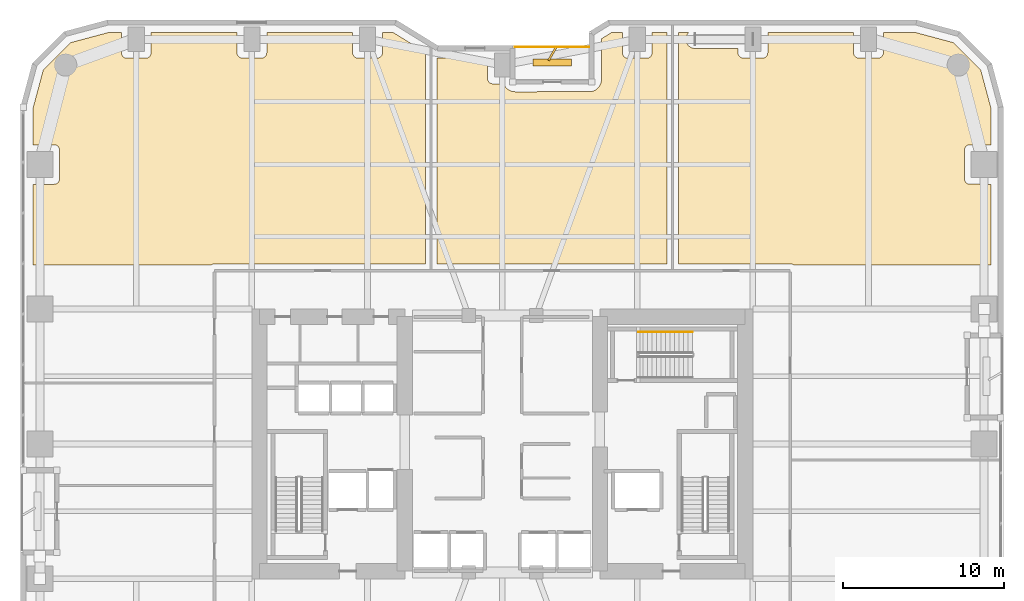
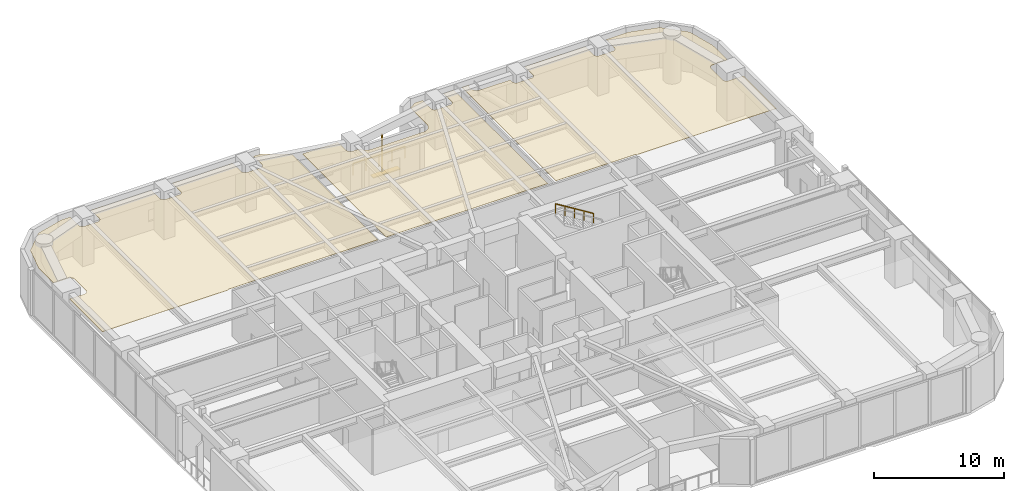
# One storey, part 25 of 25: 3 coverings, 2 railings, 2 shading devices.
"""IFC4 building model written with IfcOpenShell, lengths in metres."""

from ifc_helpers import new_model, si_unit, direction, frame, origin, origin_2d, place, context, subcontext, project, spatial, polyline, rectangle, outline, extrude, material, layer, layer_set, type_object, element, save


model = new_model("IFC4")

# Units and contexts
model_context = context("Model", 3, precision=1e-05, world=origin(), true_north=direction((0.0, 1.0)))
body_context = subcontext(model_context, "Body", "Model", "MODEL_VIEW")
ifc_project = project(units=[si_unit("LENGTHUNIT", "METRE"), si_unit("AREAUNIT", "SQUARE_METRE"), si_unit("VOLUMEUNIT", "CUBIC_METRE"), si_unit("PLANEANGLEUNIT", "RADIAN"), si_unit("MASSUNIT", "GRAM", prefix="KILO")], contexts=[model_context])

# Site, building, storey
site_placement = place(None, origin())
site = spatial("IfcSite", under=ifc_project, at=site_placement, CompositionType="ELEMENT")
building_placement = place(site_placement, origin())
building = spatial("IfcBuilding", under=site, at=building_placement, Name="Kiyonajd Concourse Tower", CompositionType="ELEMENT")
storey_placement = place(building_placement, frame((0.0, 0.0, 68.39990234375)))
storey = spatial("IfcBuildingStorey", under=building, at=storey_placement, Name="L18", CompositionType="ELEMENT", Elevation=68.39990234375)

# Coverings
ifc_material_1 = material(Name="Natural Oak Acoustic Timber Veneer", Category="wood")
ifc_layer = layer(ifc_material_1, 0.0400390625)
ifc_layer_set = layer_set([ifc_layer], Name="Natural Oak Acoustic Timber Veneer")
covering_type = type_object("IfcCoveringType", Name="CV-CLG-ACST", PredefinedType="CEILING", material=ifc_layer_set)
covering_1_placement = place(storey_placement, frame((0.0, 0.0, 4.06005859375)))
element("IfcCovering", 1, at=covering_1_placement, inside=storey, type_object=covering_type, Name="L18-41 Room Acoustic Ceiling", PredefinedType="CEILING", context=body_context, shape_type="SweptSolid", body=[
    extrude(outline(polyline([(21.097900390625, 60.986083984375), (23.5009765625, 61.6298828125), (24.27001953125, 61.6298828125), (24.27197265625, 60.3359375), (24.297119140625, 60.236083984375), (24.3291015625, 60.176025390625), (24.373046875, 60.123046875), (24.426025390625, 60.0791015625), (24.486083984375, 60.047119140625), (24.5859375, 60.02197265625), (25.81396484375, 60.02197265625), (25.9140625, 60.047119140625), (26.001953125, 60.09912109375), (26.051025390625, 60.14794921875), (26.089111328125, 60.205078125), (26.123046875, 60.302001953125), (26.1298828125, 60.3701171875), (26.1298828125, 61.6298828125), (31.469970703125, 61.6298828125), (31.471923828125, 60.3359375), (31.4970703125, 60.236083984375), (31.529052734375, 60.176025390625), (31.572998046875, 60.123046875), (31.6259765625, 60.0791015625), (31.68603515625, 60.047119140625), (31.785888671875, 60.02197265625), (32.97998046875, 60.02001953125), (33.048095703125, 60.027099609375), (33.114013671875, 60.047119140625), (33.201904296875, 60.09912109375), (33.2509765625, 60.14794921875), (33.2890625, 60.205078125), (33.322998046875, 60.302001953125), (33.330078125, 60.3701171875), (33.330078125, 61.6298828125), (38.669921875, 61.6298828125), (38.672119140625, 60.3359375), (38.697021484375, 60.236083984375), (38.72900390625, 60.176025390625), (38.77294921875, 60.123046875), (38.825927734375, 60.0791015625), (38.885986328125, 60.047119140625), (38.986083984375, 60.02197265625), (40.179931640625, 60.02001953125), (40.248046875, 60.027099609375), (40.31396484375, 60.047119140625), (40.402099609375, 60.09912109375), (40.450927734375, 60.14794921875), (40.489013671875, 60.205078125), (40.52294921875, 60.302001953125), (40.530029296875, 60.3701171875), (40.530029296875, 61.6298828125), (41.181884765625, 61.6298828125), (43.199951171875, 60.387939453125), (43.199951171875, 47.2099609375), (30.074951171875, 47.2099609375), (29.945068359375, 47.18994140625), (29.882080078125, 47.1640625), (29.826904296875, 47.1298828125), (18.77001953125, 47.1298828125), (18.77001953125, 52.169921875), (20.080078125, 52.169921875), (20.14794921875, 52.177001953125), (20.2451171875, 52.2109375), (20.302001953125, 52.2490234375), (20.35107421875, 52.298095703125), (20.388916015625, 52.35498046875), (20.4150390625, 52.41796875), (20.429931640625, 52.52001953125), (20.429931640625, 54.280029296875), (20.4150390625, 54.382080078125), (20.388916015625, 54.445068359375), (20.35107421875, 54.501953125), (20.302001953125, 54.551025390625), (20.2451171875, 54.589111328125), (20.181884765625, 54.614990234375), (20.114013671875, 54.6279296875), (18.77001953125, 54.6298828125), (18.77001953125, 56.89892578125), (19.4140625, 59.302001953125), (21.097900390625, 60.986083984375)])), origin(), (0.0, 0.0, 1.0), 0.0400390625),
])
covering_2_placement = place(storey_placement, frame((0.0, 0.0, 4.06005859375)))
element("IfcCovering", 2, at=covering_2_placement, inside=storey, type_object=covering_type, Name="L18-42 Room Acoustic Ceiling", PredefinedType="CEILING", context=body_context, shape_type="SweptSolid", body=[
    extrude(outline(polyline([(43.919921875, 60.035888671875), (44.0, 60.030029296875), (47.070068359375, 60.030029296875), (47.072021484375, 58.736083984375), (47.096923828125, 58.635986328125), (47.14892578125, 58.548095703125), (47.197998046875, 58.4990234375), (47.2548828125, 58.4609375), (47.318115234375, 58.43505859375), (47.385986328125, 58.422119140625), (48.0830078125, 58.419921875), (48.16796875, 58.260986328125), (48.215087890625, 58.198974609375), (48.299072265625, 58.114990234375), (48.361083984375, 58.068115234375), (48.471923828125, 58.00390625), (48.56005859375, 57.968994140625), (48.633056640625, 57.947998046875), (48.800048828125, 57.929931640625), (53.491943359375, 57.93603515625), (53.60693359375, 57.9580078125), (53.7041015625, 57.991943359375), (53.839111328125, 58.068115234375), (53.931884765625, 58.14306640625), (54.008056640625, 58.22802734375), (54.056884765625, 58.300048828125), (54.10791015625, 58.39599609375), (54.152099609375, 58.532958984375), (54.16796875, 58.658935546875), (54.169921875, 61.23095703125), (54.818115234375, 61.6298828125), (55.469970703125, 61.6298828125), (55.471923828125, 60.3359375), (55.4970703125, 60.236083984375), (55.529052734375, 60.176025390625), (55.572998046875, 60.123046875), (55.6259765625, 60.0791015625), (55.68603515625, 60.047119140625), (55.785888671875, 60.02197265625), (57.013916015625, 60.02197265625), (57.114013671875, 60.047119140625), (57.201904296875, 60.09912109375), (57.2509765625, 60.14794921875), (57.2890625, 60.205078125), (57.322998046875, 60.302001953125), (57.330078125, 60.3701171875), (57.330078125, 61.6298828125), (58.239990234375, 61.6298828125), (58.239990234375, 47.2099609375), (43.919921875, 47.2099609375), (43.919921875, 60.035888671875)])), origin(), (0.0, 0.0, 1.0), 0.0400390625),
])
covering_3_placement = place(storey_placement, frame((0.0, 0.0, 4.06005859375)))
element("IfcCovering", 3, at=covering_3_placement, inside=storey, type_object=covering_type, Name="L18-43 Room Acoustic Ceiling", PredefinedType="CEILING", context=body_context, shape_type="SweptSolid", body=[
    extrude(outline(polyline([(59.6259765625, 61.6298828125), (59.5390625, 61.533935546875), (59.498046875, 61.469970703125), (59.467041015625, 61.40087890625), (59.43603515625, 61.27490234375), (59.429931640625, 61.199951171875), (59.43603515625, 61.125), (59.467041015625, 60.9990234375), (59.498046875, 60.929931640625), (59.5390625, 60.865966796875), (59.637939453125, 60.759033203125), (59.759033203125, 60.68408203125), (59.87109375, 60.64501953125), (59.97802734375, 60.631103515625), (62.669921875, 60.6298828125), (62.672119140625, 60.3359375), (62.68505859375, 60.26806640625), (62.7109375, 60.205078125), (62.77294921875, 60.123046875), (62.85498046875, 60.06103515625), (62.91796875, 60.034912109375), (63.02001953125, 60.02001953125), (64.214111328125, 60.02197265625), (64.31396484375, 60.047119140625), (64.3740234375, 60.0791015625), (64.427001953125, 60.123046875), (64.489013671875, 60.205078125), (64.514892578125, 60.26806640625), (64.528076171875, 60.3359375), (64.530029296875, 61.6298828125), (69.8701171875, 61.6298828125), (69.8701171875, 60.3701171875), (69.876953125, 60.302001953125), (69.89697265625, 60.236083984375), (69.928955078125, 60.176025390625), (69.998046875, 60.09912109375), (70.0859375, 60.047119140625), (70.18603515625, 60.02197265625), (71.4140625, 60.02197265625), (71.513916015625, 60.047119140625), (71.573974609375, 60.0791015625), (71.626953125, 60.123046875), (71.68896484375, 60.205078125), (71.715087890625, 60.26806640625), (71.72802734375, 60.3359375), (71.72998046875, 61.6298828125), (73.698974609375, 61.6298828125), (76.10205078125, 60.986083984375), (77.785888671875, 59.302001953125), (78.429931640625, 56.89892578125), (78.429931640625, 54.6298828125), (77.1201171875, 54.6298828125), (77.052001953125, 54.623046875), (76.986083984375, 54.60302734375), (76.926025390625, 54.571044921875), (76.84912109375, 54.501953125), (76.81103515625, 54.445068359375), (76.784912109375, 54.382080078125), (76.77001953125, 54.280029296875), (76.77001953125, 52.52001953125), (76.784912109375, 52.41796875), (76.81103515625, 52.35498046875), (76.84912109375, 52.298095703125), (76.89794921875, 52.2490234375), (76.955078125, 52.2109375), (77.01806640625, 52.18505859375), (77.0859375, 52.172119140625), (78.429931640625, 52.169921875), (78.429931640625, 47.1298828125), (66.173095703125, 47.1298828125), (66.117919921875, 47.1640625), (66.054931640625, 47.18994140625), (65.925048828125, 47.2099609375), (58.9599609375, 47.2099609375), (58.9599609375, 61.6298828125), (59.6259765625, 61.6298828125)])), origin(), (0.0, 0.0, 1.0), 0.0400390625),
])

# Railings
ifc_material_2 = material(Name="Thermally Broken Anodised Aluminium", Category="aluminium")
railing_type_1 = type_object("IfcRailingType", Name="RL-GRD-LOG", PredefinedType="GUARDRAIL", material=ifc_material_2)
railing_1_placement = place(storey_placement, frame((53.39990234375, 60.719970703125, 0.0)))
element("IfcRailing", 4, at=railing_1_placement, inside=storey, type_object=railing_type_1, Name="L18 Engawa Loggia Perimeter Guard LOG-N", PredefinedType="GUARDRAIL", context=body_context, shape_type="SweptSolid", body=[
    extrude(rectangle(XDim=0.048095703125, YDim=0.048095703125, at=origin_2d()), frame((0.0, 0.0, 1.076171875), z_axis=(-1.0, 0.0, 0.0), x_axis=(0.0, -1.0, 0.0)), (0.0, 0.0, 1.0), 4.599853515625),
    extrude(rectangle(XDim=0.0419921875, YDim=0.0419921875, at=origin_2d()), origin(), (0.0, 0.0, 1.0), 1.052001953125),
    extrude(rectangle(XDim=0.0419921875, YDim=0.0419921875, at=origin_2d()), frame((-1.14990234375, 0.0, 0.0)), (0.0, 0.0, 1.0), 1.052001953125),
    extrude(rectangle(XDim=0.0419921875, YDim=0.0419921875, at=origin_2d()), frame((-2.2998046875, 0.0, 0.0)), (0.0, 0.0, 1.0), 1.052001953125),
    extrude(rectangle(XDim=0.0419921875, YDim=0.0419921875, at=origin_2d()), frame((-3.449951171875, 0.0, 0.0)), (0.0, 0.0, 1.0), 1.052001953125),
    extrude(rectangle(XDim=0.0419921875, YDim=0.0419921875, at=origin_2d()), frame((-4.599853515625, 0.0, 0.0)), (0.0, 0.0, 1.0), 1.052001953125),
])
ifc_material_3 = material(Name="Brushed Stainless Steel Cab Assembly", Category="steel")
railing_type_2 = type_object("IfcRailingType", Name="RL-HND-900", PredefinedType="HANDRAIL", material=ifc_material_3)
railing_2_placement = place(storey_placement, frame((59.840087890625, 42.969970703125, 2.423095703125)))
element("IfcRailing", 5, at=railing_2_placement, inside=storey, type_object=railing_type_2, Name="L18 ST3 stair handrail 2", PredefinedType="HANDRAIL", context=body_context, shape_type="SweptSolid", body=[
    extrude(rectangle(XDim=0.048095703125, YDim=0.048095703125, at=origin_2d()), frame((0.0, 0.0, 0.8759765625), z_axis=(-0.850623216509, 0.0, 0.525775754039), x_axis=(0.0, -1.0, 0.0)), (0.0, 0.0, 1.0), 3.9501953125),
    extrude(rectangle(XDim=0.0419921875, YDim=0.0419921875, at=origin_2d()), origin(), (0.0, 0.0, 1.0), 0.851806640625),
    extrude(rectangle(XDim=0.0419921875, YDim=0.0419921875, at=origin_2d()), frame((-0.840087890625, 0.0, 0.519287109375)), (0.0, 0.0, 1.0), 0.851806640625),
    extrude(rectangle(XDim=0.0419921875, YDim=0.0419921875, at=origin_2d()), frame((-1.68017578125, 0.0, 1.03857421875)), (0.0, 0.0, 1.0), 0.851806640625),
    extrude(rectangle(XDim=0.0419921875, YDim=0.0419921875, at=origin_2d()), frame((-2.52001953125, 0.0, 1.5576171875)), (0.0, 0.0, 1.0), 0.851806640625),
    extrude(rectangle(XDim=0.0419921875, YDim=0.0419921875, at=origin_2d()), frame((-3.360107421875, 0.0, 2.076904296875)), (0.0, 0.0, 1.0), 0.851806640625),
])

# Shading devices
ifc_material_4 = material(Name="Precast concrete C50/60", Category="concrete")
shading_device_type_1 = type_object("IfcShadingDeviceType", Name="SH-FIN-900", PredefinedType="USERDEFINED", material=ifc_material_4)
shading_device_1_placement = place(storey_placement, frame((51.10009765625, 60.27001953125, 0.0), z_axis=(0.0, 0.0, 1.0), x_axis=(0.5, 0.866025403784, 0.0)))
element("IfcShadingDevice", 6, at=shading_device_1_placement, inside=storey, type_object=shading_device_type_1, Name="L18 Angled Koshi Solar Fin LOG-N", ObjectType="FIN", PredefinedType="USERDEFINED", context=body_context, shape_type="SweptSolid", body=[
    extrude(rectangle(XDim=0.89990234375, YDim=0.1201171875, at=origin_2d()), origin(), (0.0, 0.0, 1.0), 3.0),
])
shading_device_type_2 = type_object("IfcShadingDeviceType", Name="SH-LVR-600", PredefinedType="JALOUSIE", material=ifc_material_2)
shading_device_2_placement = place(storey_placement, frame((51.10009765625, 59.75, 0.0), z_axis=(0.0, 0.0, 1.0), x_axis=(1.0, 0.0, 0.0)))
element("IfcShadingDevice", 7, at=shading_device_2_placement, inside=storey, type_object=shading_device_type_2, Name="L18 Loggia Threshold Louver LOG-N", PredefinedType="JALOUSIE", context=body_context, shape_type="SweptSolid", body=[
    extrude(rectangle(XDim=2.39990234375, YDim=0.449951171875, at=origin_2d()), origin(), (0.0, 0.0, 1.0), 0.10009765625),
])

save(model, "model.ifc")
